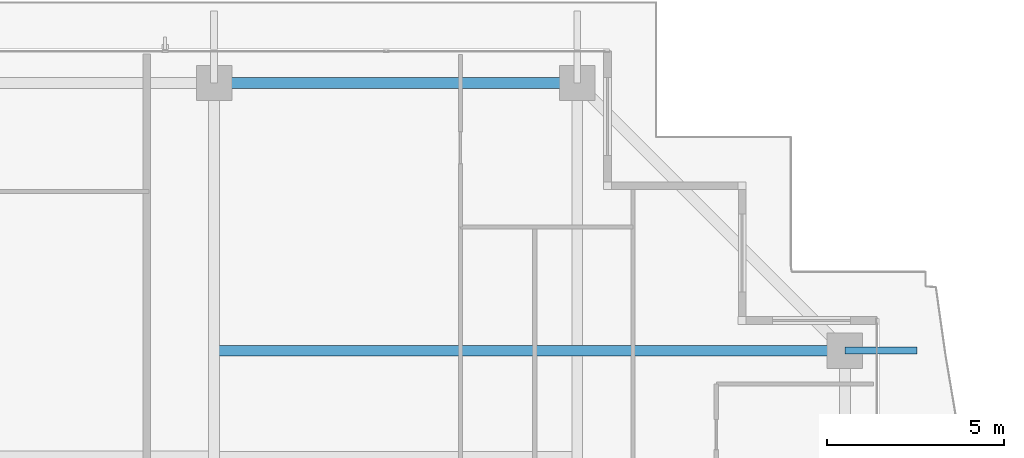
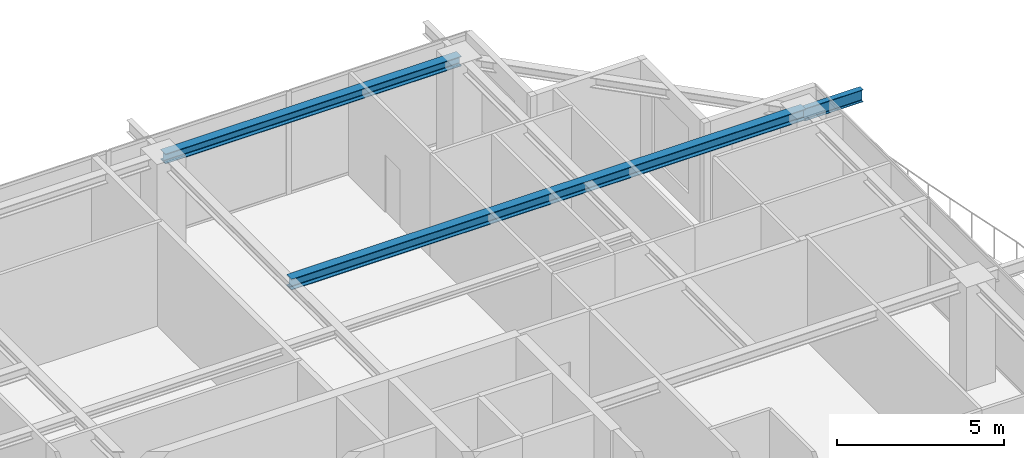
# One storey, part 26 of 41: 3 beams.
"""IFC4 building model written with IfcOpenShell, lengths in metres."""

from ifc_helpers import new_model, si_unit, direction, frame, origin, origin_2d, place, context, subcontext, project, spatial, i_section, extrude, source, transform, mapped, material, material_profile, profile_set, type_object, element, save


model = new_model("IFC4")

# Units and contexts
model_context = context("Model", 3, precision=1e-05, world=origin(), true_north=direction((0.0, 1.0)))
body_context = subcontext(model_context, "Body", "Model", "MODEL_VIEW")
ifc_project = project(units=[si_unit("LENGTHUNIT", "METRE"), si_unit("AREAUNIT", "SQUARE_METRE"), si_unit("VOLUMEUNIT", "CUBIC_METRE"), si_unit("PLANEANGLEUNIT", "RADIAN"), si_unit("MASSUNIT", "GRAM", prefix="KILO")], contexts=[model_context])

# Site, building, storey
site_placement = place(None, origin())
site = spatial("IfcSite", under=ifc_project, at=site_placement, CompositionType="ELEMENT")
building_placement = place(site_placement, origin())
building = spatial("IfcBuilding", under=site, at=building_placement, Name="Serunith Strait Residences", CompositionType="ELEMENT")
storey_placement = place(building_placement, frame((0.0, 0.0, 301.550048828125)))
storey = spatial("IfcBuildingStorey", under=building, at=storey_placement, Name="L75", CompositionType="ELEMENT", Elevation=301.550048828125)

# Beams
ifc_material = material(Name="Steel S355J2", Category="steel")
ifc_material_profile_1 = material_profile(ifc_material, i_section(OverallWidth=0.300048828125, OverallDepth=0.39990234375, WebThickness=0.013427734375, FlangeThickness=0.02392578125, FilletRadius=0.027099609375, at=origin_2d()), Name="HEB 400")
ifc_profile_set_1 = profile_set([ifc_material_profile_1], Name="Steel S355J2")
beam_type_1 = type_object("IfcBeamType", Name="BM-HEB400", PredefinedType="BEAM", material=ifc_profile_set_1)
shared_shape_1 = source(origin(), body_context, "Body", "SweptSolid", [
    extrude(i_section(OverallWidth=0.300048828125, OverallDepth=0.39990234375, WebThickness=0.013427734375, FlangeThickness=0.02392578125, FilletRadius=0.027099609375, at=origin_2d()), origin(), (0.0, 0.0, 1.0), 17.800048828125),
])
beam_1_placement = place(storey_placement, frame((36.89990234375, 39.550048828125, 3.5869140625), z_axis=(1.0, 0.0, 0.0), x_axis=(0.0, 1.0, 0.0)))
element("IfcBeam", 1, at=beam_1_placement, inside=storey, type_object=beam_type_1, Name="L75 Orthogonal Corner Girder TC-E4", PredefinedType="BEAM", context=body_context, shape_type="MappedRepresentation", body=[
    mapped(shared_shape_1, transform((0.0, 0.0, 0.0), scale=1.0)),
])
ifc_material_profile_2 = material_profile(ifc_material, i_section(OverallWidth=0.300048828125, OverallDepth=0.360107421875, WebThickness=0.012451171875, FlangeThickness=0.0224609375, FilletRadius=0.027099609375, at=origin_2d()), Name="HEB 360")
ifc_profile_set_2 = profile_set([ifc_material_profile_2], Name="Steel S355J2")
beam_type_2 = type_object("IfcBeamType", Name="BM-HEB360", PredefinedType="BEAM", material=ifc_profile_set_2)
shared_shape_2 = source(origin(), body_context, "Body", "SweptSolid", [
    extrude(i_section(OverallWidth=0.300048828125, OverallDepth=0.360107421875, WebThickness=0.012451171875, FlangeThickness=0.0224609375, FilletRadius=0.027099609375, at=origin_2d()), origin(), (0.0, 0.0, 1.0), 10.25),
])
beam_2_placement = place(storey_placement, frame((47.14990234375, 47.10009765625, 3.60693359375), z_axis=(-1.0, 0.0, 0.0), x_axis=(0.0, -1.0, 0.0)))
element("IfcBeam", 2, at=beam_2_placement, inside=storey, type_object=beam_type_2, Name="L75 Perimeter Ring Beam 09", PredefinedType="BEAM", context=body_context, shape_type="MappedRepresentation", body=[
    mapped(shared_shape_2, transform((0.0, 0.0, 0.0), scale=1.0)),
])
ifc_material_profile_3 = material_profile(ifc_material, i_section(OverallWidth=0.18994140625, OverallDepth=0.449951171875, WebThickness=0.009521484375, FlangeThickness=0.0146484375, FilletRadius=0.02099609375, at=origin_2d()), Name="IPE 450")
ifc_profile_set_3 = profile_set([ifc_material_profile_3], Name="Steel S355J2")
beam_type_3 = type_object("IfcBeamType", Name="BM-IPE450", PredefinedType="JOIST", material=ifc_profile_set_3)
shared_shape_3 = source(origin(), body_context, "Body", "SweptSolid", [
    extrude(i_section(OverallWidth=0.18994140625, OverallDepth=0.449951171875, WebThickness=0.009521484375, FlangeThickness=0.0146484375, FilletRadius=0.02099609375, at=origin_2d()), origin(), (0.0, 0.0, 1.0), 2.030029296875),
])
beam_3_placement = place(storey_placement, frame((54.699951171875, 39.550048828125, 3.531982421875), z_axis=(1.0, 0.0, 0.0), x_axis=(0.0, 1.0, 0.0)))
element("IfcBeam", 3, at=beam_3_placement, inside=storey, type_object=beam_type_3, Name="L76 Cantilevered Balcony Rib TC-E4", PredefinedType="JOIST", context=body_context, shape_type="MappedRepresentation", body=[
    mapped(shared_shape_3, transform((0.0, 0.0, 0.0), scale=1.0)),
])

save(model, "model.ifc")
